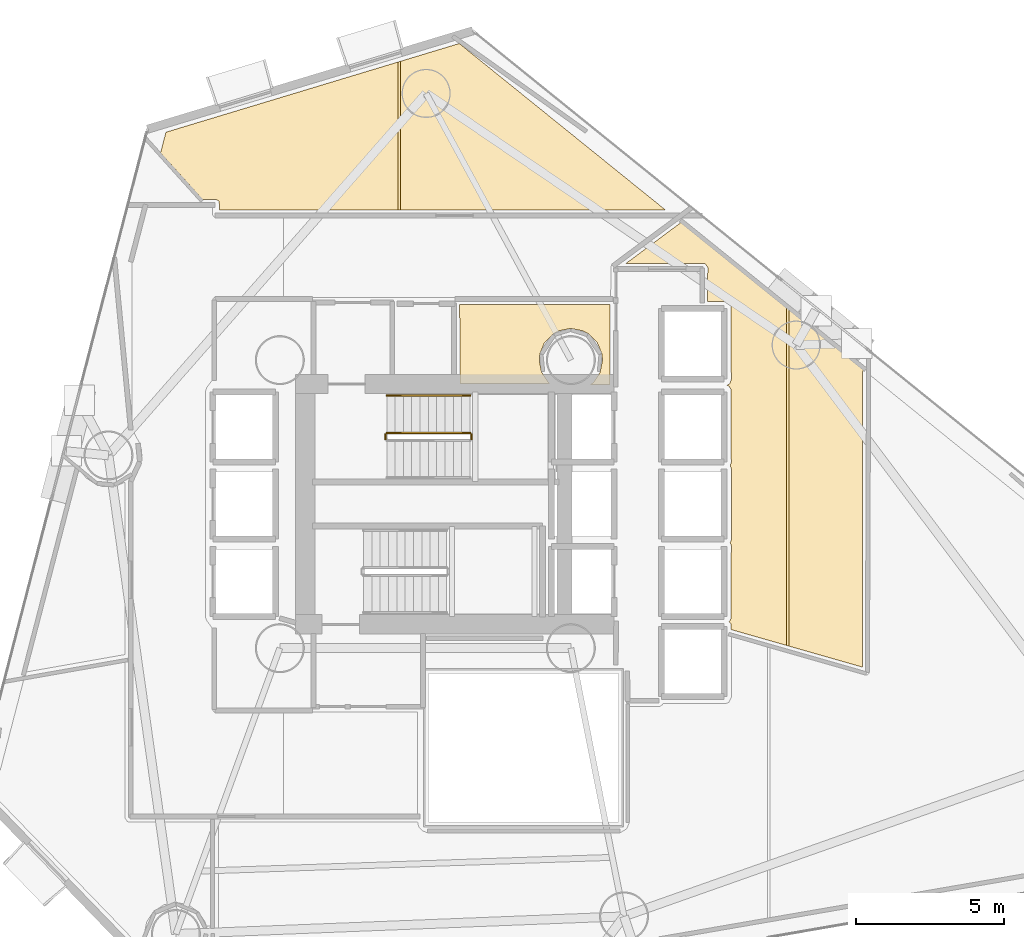
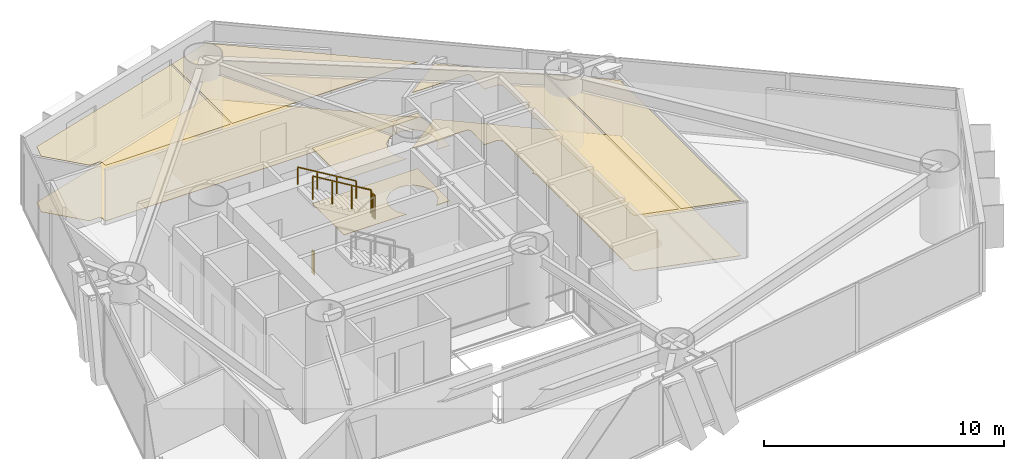
# One storey, part 22 of 23: 8 coverings, 4 railings.
"""IFC4 building model written with IfcOpenShell, lengths in metres."""

import ifcopenshell
import ifcopenshell.guid

model = None  # the IFC model being written
_history = None  # IfcOwnerHistory: only IFC2X3 demands one
_inside = {}  # id of a spatial element -> (the spatial element, [elements in it])
_under = {}  # id of a project, library or spatial element -> (it, [spatial elements below it])
_declared = {}  # id of a project -> (the project, [libraries it declares])
_typed = {}  # id of a type object -> (the type object, [elements of that type])
_made_of = {}  # id of a material, layer set ... -> (it, [elements and type objects made of it])


def new_model(schema):
    """Start an empty IFC model of exactly this schema.

    Asked for "IFC4X3", IfcOpenShell would pick the latest addendum, in which some entities
    have other attributes; the version numbers below select the first issue.
    IFC2X3 requires an IfcOwnerHistory on every rooted entity: one is made here for all.
    """
    global model, _history
    if schema == "IFC4X3":
        model = ifcopenshell.file(schema_version=(4, 3, 0, 0))
    else:
        model = ifcopenshell.file(schema=schema)
    _inside.clear()
    _under.clear()
    _declared.clear()
    _typed.clear()
    _made_of.clear()
    _history = None
    if model.schema == "IFC2X3":
        org = make("IfcOrganization", Name="unknown")
        user = make(
            "IfcPersonAndOrganization",
            ThePerson=make("IfcPerson", FamilyName="unknown"),
            TheOrganization=org,
        )
        app = make(
            "IfcApplication",
            ApplicationDeveloper=org,
            Version="unknown",
            ApplicationFullName="unknown",
            ApplicationIdentifier="unknown",
        )
        _history = make(
            "IfcOwnerHistory",
            OwningUser=user,
            OwningApplication=app,
            ChangeAction="ADDED",
            CreationDate=0,
        )
    return model


def make(cls, **values):
    """One entity of the class cls with the attributes given. An attribute that is None is left unset."""
    return model.create_entity(
        cls, **{name: value for name, value in values.items() if value is not None}
    )


def rooted(cls, **values):
    """An entity with a GlobalId (a new one), such as an element, a storey or a relation."""
    return make(cls, GlobalId=ifcopenshell.guid.new(), OwnerHistory=_history, **values)


def si_unit(unit_type, name, prefix=None):
    """IfcSIUnit, for example si_unit("LENGTHUNIT", "METRE", prefix="MILLI")."""
    return make("IfcSIUnit", UnitType=unit_type, Prefix=prefix, Name=name)


def assignment(units):
    """IfcUnitAssignment: the units of a project."""
    return None if units is None else make("IfcUnitAssignment", Units=units)


def point(xyz):
    """IfcCartesianPoint."""
    return None if xyz is None else make("IfcCartesianPoint", Coordinates=xyz)


def direction(xyz):
    """IfcDirection."""
    return None if xyz is None else make("IfcDirection", DirectionRatios=xyz)


def frame(location, z_axis=None, x_axis=None):
    """IfcAxis2Placement3D, a coordinate frame: its origin and axes. An axis left out is left unset."""
    return make(
        "IfcAxis2Placement3D",
        Location=point(location),
        Axis=direction(z_axis),
        RefDirection=direction(x_axis),
    )


def frame_2d(location, x_axis=None):
    """IfcAxis2Placement2D, a coordinate frame in the plane: its origin and x axis."""
    return make(
        "IfcAxis2Placement2D", Location=point(location), RefDirection=direction(x_axis)
    )


def origin():
    """The frame at (0, 0, 0) with its axes left unset."""
    return frame((0.0, 0.0, 0.0))


def origin_2d():
    """The frame at (0, 0) in the plane with its x axis left unset."""
    return frame_2d((0.0, 0.0))


def place(relative_to, where):
    """IfcLocalPlacement: puts the frame where relative to a parent placement (None: the world)."""
    return make(
        "IfcLocalPlacement", PlacementRelTo=relative_to, RelativePlacement=where
    )


def context(
    kind, dimensions, precision=None, world=None, true_north=None, identifier=None
):
    """IfcGeometricRepresentationContext, for example the 3D "Model" context."""
    return make(
        "IfcGeometricRepresentationContext",
        ContextIdentifier=identifier,
        ContextType=kind,
        CoordinateSpaceDimension=dimensions,
        Precision=precision,
        WorldCoordinateSystem=world,
        TrueNorth=true_north,
    )


def subcontext(parent, identifier, kind, view, scale=None):
    """IfcGeometricRepresentationSubContext, for example "Body" below "Model"."""
    return make(
        "IfcGeometricRepresentationSubContext",
        ContextIdentifier=identifier,
        ContextType=kind,
        ParentContext=parent,
        TargetScale=scale,
        TargetView=view,
    )


def project(units=None, contexts=None):
    """IfcProject with its units and contexts."""
    return rooted(
        "IfcProject",
        Name="project",
        RepresentationContexts=contexts,
        UnitsInContext=assignment(units),
    )


def spatial(cls, under=None, at=None, **own):
    """A site, building, storey or space (cls), placed at a placement, below another one or the project."""
    s = rooted(cls, ObjectPlacement=at, **own)
    if under is not None:
        _under.setdefault(under.id(), (under, []))[1].append(s)
    return s


def polyline(points):
    """IfcPolyline through the points."""
    return make("IfcPolyline", Points=[point(p) for p in points])


def profile(cls, at=None, kind="AREA", **sizes):
    """A parametric profile (cls). Its sizes go by their IFC names, for example OverallWidth=200.0."""
    return make(cls, ProfileType=kind, Position=at, **sizes)


def rectangle(**sizes):
    """IfcRectangleProfileDef."""
    return profile("IfcRectangleProfileDef", **sizes)


def outline(outer, holes=None, kind="AREA"):
    """IfcArbitraryClosedProfileDef: a profile drawn as a closed curve; with holes, ...WithVoids."""
    if holes is None:
        return make("IfcArbitraryClosedProfileDef", ProfileType=kind, OuterCurve=outer)
    return make(
        "IfcArbitraryProfileDefWithVoids",
        ProfileType=kind,
        OuterCurve=outer,
        InnerCurves=holes,
    )


def extrude(swept, where, along, depth):
    """IfcExtrudedAreaSolid: the profile swept, set in the frame where, extruded along a direction by depth."""
    return make(
        "IfcExtrudedAreaSolid",
        SweptArea=swept,
        Position=where,
        ExtrudedDirection=direction(along),
        Depth=depth,
    )


def shape(context_of_items, identifier, shape_type, items):
    """IfcShapeRepresentation: the items that make up one representation, for example the "Body"."""
    return make(
        "IfcShapeRepresentation",
        ContextOfItems=context_of_items,
        RepresentationIdentifier=identifier,
        RepresentationType=shape_type,
        Items=items,
    )


def material(Name=None, Category=None):
    """IfcMaterial."""
    return make("IfcMaterial", Name=Name, Category=Category)


def layer(
    of_material, thickness, ventilated=None, Name=None, Category=None, Priority=None
):
    """IfcMaterialLayer: one layer of a wall or slab, of a material (None: an air gap)."""
    return make(
        "IfcMaterialLayer",
        Material=of_material,
        LayerThickness=thickness,
        IsVentilated=ventilated,
        Name=Name,
        Category=Category,
        Priority=Priority,
    )


def layer_set(layers, Name=None):
    """IfcMaterialLayerSet."""
    return make("IfcMaterialLayerSet", MaterialLayers=layers, LayerSetName=Name)


def made_of(thing, what):
    """Note that an element or type object is made of a material, layer set ...; save() writes the relation."""
    if what is not None:
        _made_of.setdefault(what.id(), (what, []))[1].append(thing)
    return thing


def type_object(cls, material=None, **own):
    """A type object (cls), such as IfcWallType, which elements share."""
    return made_of(rooted(cls, **own), material)


def element(
    cls,
    number,
    at=None,
    inside=None,
    cuts=None,
    type_object=None,
    material=None,
    context=None,
    identifier="Body",
    shape_type=None,
    held_by="IfcProductDefinitionShape",
    body=None,
    shapes=None,
    **own,
):
    """One element of the class cls, such as IfcWall. Its Tag is "e" and its number.

    at: its placement. inside: the storey or other place that contains it. cuts: it is an
    opening in that element (IfcRelVoidsElement). A single representation is given by context,
    identifier, shape_type and body (its items); several are given by shapes. held_by: the class
    of the entity that holds the representations. save() writes the other relations.
    """
    e = rooted(cls, Tag="e%d" % number, ObjectPlacement=at, **own)
    if body is not None:
        shapes = [shape(context, identifier, shape_type, body)]
    if shapes is not None:
        e.Representation = make(held_by, Representations=shapes)
    if inside is not None:
        _inside.setdefault(inside.id(), (inside, []))[1].append(e)
    if cuts is not None:
        rooted(
            "IfcRelVoidsElement", RelatingBuildingElement=cuts, RelatedOpeningElement=e
        )
    if type_object is not None:
        _typed.setdefault(type_object.id(), (type_object, []))[1].append(e)
    return made_of(e, material)


def aggregate(whole, parts):
    """IfcRelAggregates: a whole, such as a stair, and the parts it consists of."""
    return rooted("IfcRelAggregates", RelatingObject=whole, RelatedObjects=parts)


def save(model, path):
    """Write the relations noted so far, then the file.

    IfcRelAggregates (storeys below a building ...), IfcRelContainedInSpatialStructure (elements
    in a storey), IfcRelDefinesByType, IfcRelAssociatesMaterial and IfcRelDeclares: one each for
    every whole, place, type object, material and project.
    """
    for whole, parts in _under.values():
        aggregate(whole, parts)
    for where, things in _inside.values():
        rooted(
            "IfcRelContainedInSpatialStructure",
            RelatedElements=things,
            RelatingStructure=where,
        )
    for kind, things in _typed.values():
        rooted("IfcRelDefinesByType", RelatedObjects=things, RelatingType=kind)
    for what, things in _made_of.values():
        rooted("IfcRelAssociatesMaterial", RelatedObjects=things, RelatingMaterial=what)
    for by, libraries in _declared.values():
        rooted("IfcRelDeclares", RelatingContext=by, RelatedDefinitions=libraries)
    model.write(path)


model = new_model("IFC4")

# Units and contexts
model_context = context("Model", 3, precision=1e-05, world=origin(), true_north=direction((0.0, 1.0)))
body_context = subcontext(model_context, "Body", "Model", "MODEL_VIEW")
ifc_project = project(units=[si_unit("LENGTHUNIT", "METRE"), si_unit("AREAUNIT", "SQUARE_METRE"), si_unit("VOLUMEUNIT", "CUBIC_METRE"), si_unit("PLANEANGLEUNIT", "RADIAN"), si_unit("MASSUNIT", "GRAM", prefix="KILO")], contexts=[model_context])

# Site, building, storey
site_placement = place(None, origin())
site = spatial("IfcSite", under=ifc_project, at=site_placement, CompositionType="ELEMENT")
building_placement = place(site_placement, origin())
building = spatial("IfcBuilding", under=site, at=building_placement, Name="Qianvela Tower", CompositionType="ELEMENT")
storey_placement = place(building_placement, frame((0.0, 0.0, 82.10009765625)))
storey = spatial("IfcBuildingStorey", under=building, at=storey_placement, Name="L20", CompositionType="ELEMENT", Elevation=82.10009765625)

# Coverings
ifc_material_1 = material(Name="Perforated Mineral Acoustic Ceiling Tile")
ifc_layer_1 = layer(ifc_material_1, 0.02490234375)
ifc_layer_set_1 = layer_set([ifc_layer_1], Name="Perforated Mineral Acoustic Ceiling Tile")
covering_type_1 = type_object("IfcCoveringType", Name="COV-CEIL-ACOUSTIC-25", PredefinedType="CEILING", material=ifc_layer_set_1)
covering_1_placement = place(storey_placement, frame((0.0, 0.0, 2.81494140625)))
element("IfcCovering", 1, at=covering_1_placement, inside=storey, type_object=covering_type_1, Name="L20 Acoustic Ceiling Bay 1 Tutorial Breakout Seminar L20-03", PredefinedType="CEILING", context=body_context, shape_type="SweptSolid", body=[
    extrude(outline(polyline([(43.722412109375, 32.739013671875), (43.729248046875, 32.74267578125), (43.73583984375, 32.746826171875), (43.741943359375, 32.751953125), (43.74755859375, 32.757568359375), (43.75244140625, 32.763427734375), (43.7568359375, 32.77001953125), (43.760498046875, 32.777099609375), (43.763427734375, 32.7841796875), (43.79541015625, 32.873046875), (43.79736328125, 32.879638671875), (43.798828125, 32.886474609375), (43.7998046875, 32.893310546875), (43.800048828125, 32.900146484375), (43.79736328125, 35.327392578125), (43.796875, 35.3359375), (43.79541015625, 35.344482421875), (43.793212890625, 35.352783203125), (43.7900390625, 35.36083984375), (43.785888671875, 35.368408203125), (43.7373046875, 35.44921875), (43.732666015625, 35.456298828125), (43.727294921875, 35.462890625), (43.72119140625, 35.46875), (43.71435546875, 35.47412109375), (43.70703125, 35.478515625), (43.699462890625, 35.482177734375), (43.624267578125, 35.51318359375), (43.616943359375, 35.515869140625), (43.609375, 35.517822265625), (43.6015625, 35.518798828125), (43.59375, 35.519287109375), (43.0, 35.52001953125), (43.010009765625, 36.6494140625), (43.009765625, 36.6572265625), (43.008544921875, 36.6650390625), (43.006591796875, 36.6728515625), (43.00390625, 36.680419921875), (43.00048828125, 36.6875), (42.99658203125, 36.6943359375), (42.947021484375, 36.768310546875), (42.9423828125, 36.774658203125), (42.937255859375, 36.780517578125), (42.931396484375, 36.78564453125), (42.925048828125, 36.790283203125), (42.91845703125, 36.79443359375), (42.911376953125, 36.7978515625), (42.904052734375, 36.80029296875), (42.896484375, 36.80224609375), (42.888671875, 36.803466796875), (42.880859375, 36.803955078125), (40.26171875, 36.8095703125), (42.107421875, 38.18310546875), (45.65966796875, 35.315185546875), (45.65966796875, 23.943115234375), (43.79833984375, 24.47509765625), (43.79736328125, 24.6279296875), (43.796875, 24.63623046875), (43.79541015625, 24.644287109375), (43.793212890625, 24.652587890625), (43.790283203125, 24.66015625), (43.786376953125, 24.66748046875), (43.78173828125, 24.674560546875), (43.776611328125, 24.680908203125), (43.726318359375, 24.736328125), (43.727294921875, 24.737060546875), (43.732666015625, 24.74365234375), (43.7373046875, 24.750732421875), (43.785888671875, 24.83154296875), (43.7900390625, 24.839111328125), (43.793212890625, 24.84716796875), (43.79541015625, 24.85546875), (43.796875, 24.864013671875), (43.79736328125, 24.87255859375), (43.800048828125, 27.2998046875), (43.799560546875, 27.307861328125), (43.79833984375, 27.31591796875), (43.79638671875, 27.323486328125), (43.793701171875, 27.3310546875), (43.7646484375, 27.39990234375), (43.793701171875, 27.468994140625), (43.79638671875, 27.476318359375), (43.79833984375, 27.484130859375), (43.799560546875, 27.491943359375), (43.800048828125, 27.5), (43.800048828125, 29.89990234375), (43.799560546875, 29.907958984375), (43.79833984375, 29.915771484375), (43.79638671875, 29.923583984375), (43.793701171875, 29.93115234375), (43.7646484375, 30.0), (43.793701171875, 30.06884765625), (43.79638671875, 30.076416015625), (43.79833984375, 30.084228515625), (43.799560546875, 30.09228515625), (43.800048828125, 30.10009765625), (43.7939453125, 32.540771484375), (43.793701171875, 32.548583984375), (43.79248046875, 32.556396484375), (43.79052734375, 32.56396484375), (43.787841796875, 32.5712890625), (43.784423828125, 32.578369140625), (43.780517578125, 32.585205078125), (43.7353515625, 32.652587890625), (43.730712890625, 32.658935546875), (43.725341796875, 32.664794921875), (43.719482421875, 32.670166015625), (43.71337890625, 32.6748046875), (43.70654296875, 32.6787109375), (43.699462890625, 32.68212890625), (43.647705078125, 32.70361328125), (43.722412109375, 32.739013671875)])), origin(), (0.0, 0.0, 1.0), 0.02490234375),
])
covering_2_placement = place(storey_placement, frame((0.0, 0.0, 2.81494140625)))
element("IfcCovering", 2, at=covering_2_placement, inside=storey, type_object=covering_type_1, Name="L20 Acoustic Ceiling Bay 2 Tutorial Breakout Seminar L20-03", PredefinedType="CEILING", context=body_context, shape_type="SweptSolid", body=[
    extrude(outline(polyline([(48.25048828125, 33.223876953125), (48.215576171875, 33.125244140625), (48.212890625, 33.11669921875), (48.21142578125, 33.107666015625), (48.2109375, 33.0986328125), (48.2109375, 23.214111328125), (45.73974609375, 23.92041015625), (45.73974609375, 35.250732421875), (48.25048828125, 33.223876953125)])), origin(), (0.0, 0.0, 1.0), 0.02490234375),
])
covering_3_placement = place(storey_placement, frame((0.0, 0.0, 2.81494140625)))
element("IfcCovering", 3, at=covering_3_placement, inside=storey, type_object=covering_type_1, Name="L20 Acoustic Ceiling Project Huddle Conference L20-04", PredefinedType="CEILING", context=body_context, shape_type="SweptSolid", body=[
    extrude(outline(polyline([(39.719970703125, 35.419921875), (39.719970703125, 32.719970703125), (39.040771484375, 32.719970703125), (39.140869140625, 32.787109375), (39.147216796875, 32.791748046875), (39.153076171875, 32.796875), (39.158203125, 32.802734375), (39.1630859375, 32.80908203125), (39.37646484375, 33.128662109375), (39.380615234375, 33.13525390625), (39.3837890625, 33.142333984375), (39.38671875, 33.14990234375), (39.388427734375, 33.157470703125), (39.46337890625, 33.534423828125), (39.464599609375, 33.542236328125), (39.465087890625, 33.550048828125), (39.464599609375, 33.557861328125), (39.44580078125, 33.75), (39.444580078125, 33.7578125), (39.442626953125, 33.765380859375), (39.43994140625, 33.772705078125), (39.29296875, 34.1279296875), (39.28955078125, 34.135009765625), (39.285400390625, 34.1416015625), (39.28076171875, 34.14794921875), (39.275634765625, 34.15380859375), (39.00390625, 34.425537109375), (38.998046875, 34.430908203125), (38.99169921875, 34.435546875), (38.98486328125, 34.439697265625), (38.814697265625, 34.530517578125), (38.8076171875, 34.533935546875), (38.80029296875, 34.53662109375), (38.79248046875, 34.53857421875), (38.41552734375, 34.613525390625), (38.40771484375, 34.614501953125), (38.39990234375, 34.614990234375), (38.39208984375, 34.614501953125), (38.384521484375, 34.613525390625), (38.00732421875, 34.53857421875), (37.999755859375, 34.53662109375), (37.992431640625, 34.533935546875), (37.9853515625, 34.530517578125), (37.815185546875, 34.439697265625), (37.808349609375, 34.435546875), (37.802001953125, 34.430908203125), (37.796142578125, 34.425537109375), (37.5244140625, 34.15380859375), (37.519287109375, 34.14794921875), (37.514404296875, 34.1416015625), (37.510498046875, 34.135009765625), (37.507080078125, 34.1279296875), (37.360107421875, 33.772705078125), (37.357421875, 33.765380859375), (37.35546875, 33.7578125), (37.354248046875, 33.75), (37.33544921875, 33.557861328125), (37.3349609375, 33.550048828125), (37.33544921875, 33.542236328125), (37.33642578125, 33.534423828125), (37.41162109375, 33.157470703125), (37.413330078125, 33.14990234375), (37.416015625, 33.142333984375), (37.41943359375, 33.13525390625), (37.423583984375, 33.128662109375), (37.636962890625, 32.80908203125), (37.64111328125, 32.80322265625), (37.64599609375, 32.798095703125), (37.65087890625, 32.793212890625), (37.656494140625, 32.788818359375), (37.682373046875, 32.77001953125), (34.659912109375, 32.77001953125), (34.657470703125, 35.419921875), (39.719970703125, 35.419921875)])), origin(), (0.0, 0.0, 1.0), 0.02490234375),
])
covering_4_placement = place(storey_placement, frame((0.0, 0.0, 2.81494140625)))
element("IfcCovering", 4, at=covering_4_placement, inside=storey, type_object=covering_type_1, Name="L20 Acoustic Ceiling Bay 1 Debate Lecture Classroom L20-05", PredefinedType="CEILING", context=body_context, shape_type="SweptSolid", body=[
    extrude(outline(polyline([(26.574462890625, 38.610107421875), (26.556396484375, 38.8623046875), (26.555419921875, 38.870361328125), (26.5537109375, 38.878173828125), (26.551025390625, 38.8857421875), (26.547607421875, 38.89306640625), (26.543701171875, 38.89990234375), (26.5390625, 38.906494140625), (26.53369140625, 38.91259765625), (26.52783203125, 38.91796875), (26.521240234375, 38.9228515625), (26.514404296875, 38.927001953125), (26.507080078125, 38.930419921875), (26.45068359375, 38.953857421875), (26.443115234375, 38.95654296875), (26.435546875, 38.95849609375), (26.427734375, 38.959716796875), (26.419921875, 38.9599609375), (25.994873046875, 38.9599609375), (24.583984375, 40.527099609375), (24.764892578125, 41.22314453125), (32.58203125, 43.587158203125), (32.58203125, 38.610107421875), (26.574462890625, 38.610107421875)])), origin(), (0.0, 0.0, 1.0), 0.02490234375),
])
covering_5_placement = place(storey_placement, frame((0.0, 0.0, 2.81494140625)))
element("IfcCovering", 5, at=covering_5_placement, inside=storey, type_object=covering_type_1, Name="L20 Acoustic Ceiling Bay 2 Debate Lecture Classroom L20-05", PredefinedType="CEILING", context=body_context, shape_type="SweptSolid", body=[
    extrude(outline(polyline([(32.662109375, 38.610107421875), (32.662109375, 43.611328125), (34.6416015625, 44.2099609375), (41.578369140625, 38.610107421875), (32.662109375, 38.610107421875)])), origin(), (0.0, 0.0, 1.0), 0.02490234375),
])
ifc_material_2 = material(Name="Engineered Acoustic Oak Timber Flooring", Category="wood")
ifc_layer_2 = layer(ifc_material_2, 0.02001953125)
ifc_layer_set_2 = layer_set([ifc_layer_2], Name="Engineered Acoustic Oak Timber Flooring")
covering_type_2 = type_object("IfcCoveringType", Name="COV-FLOOR-OAK-20", PredefinedType="FLOORING", material=ifc_layer_set_2)
covering_6_placement = place(storey_placement, origin())
element("IfcCovering", 6, at=covering_6_placement, inside=storey, type_object=covering_type_2, Name="L20 Finish Flooring Tutorial Breakout Seminar L20-03", PredefinedType="FLOORING", context=body_context, shape_type="SweptSolid", body=[
    extrude(outline(polyline([(43.647705078125, 32.70361328125), (43.722412109375, 32.739013671875), (43.729248046875, 32.74267578125), (43.73583984375, 32.746826171875), (43.741943359375, 32.751953125), (43.74755859375, 32.757568359375), (43.75244140625, 32.763427734375), (43.7568359375, 32.77001953125), (43.760498046875, 32.777099609375), (43.763427734375, 32.7841796875), (43.79541015625, 32.873046875), (43.79736328125, 32.879638671875), (43.798828125, 32.886474609375), (43.7998046875, 32.893310546875), (43.800048828125, 32.900146484375), (43.79736328125, 35.327392578125), (43.796875, 35.3359375), (43.79541015625, 35.344482421875), (43.793212890625, 35.352783203125), (43.7900390625, 35.36083984375), (43.785888671875, 35.368408203125), (43.7373046875, 35.44921875), (43.732666015625, 35.456298828125), (43.727294921875, 35.462890625), (43.72119140625, 35.46875), (43.71435546875, 35.47412109375), (43.70703125, 35.478515625), (43.699462890625, 35.482177734375), (43.624267578125, 35.51318359375), (43.616943359375, 35.515869140625), (43.609375, 35.517822265625), (43.6015625, 35.518798828125), (43.59375, 35.519287109375), (43.0, 35.52001953125), (43.010009765625, 36.6494140625), (43.009765625, 36.6572265625), (43.008544921875, 36.6650390625), (43.006591796875, 36.6728515625), (43.00390625, 36.680419921875), (43.00048828125, 36.6875), (42.99658203125, 36.6943359375), (42.947021484375, 36.768310546875), (42.9423828125, 36.774658203125), (42.937255859375, 36.780517578125), (42.931396484375, 36.78564453125), (42.925048828125, 36.790283203125), (42.91845703125, 36.79443359375), (42.911376953125, 36.7978515625), (42.904052734375, 36.80029296875), (42.896484375, 36.80224609375), (42.888671875, 36.803466796875), (42.880859375, 36.803955078125), (40.26171875, 36.8095703125), (42.107421875, 38.18310546875), (48.25048828125, 33.223876953125), (48.215576171875, 33.125244140625), (48.212890625, 33.11669921875), (48.21142578125, 33.107666015625), (48.2109375, 33.0986328125), (48.2109375, 23.214111328125), (43.79833984375, 24.47509765625), (43.79736328125, 24.6279296875), (43.796875, 24.63623046875), (43.79541015625, 24.644287109375), (43.793212890625, 24.652587890625), (43.790283203125, 24.66015625), (43.786376953125, 24.66748046875), (43.78173828125, 24.674560546875), (43.776611328125, 24.680908203125), (43.726318359375, 24.736328125), (43.727294921875, 24.737060546875), (43.732666015625, 24.74365234375), (43.7373046875, 24.750732421875), (43.785888671875, 24.83154296875), (43.7900390625, 24.839111328125), (43.793212890625, 24.84716796875), (43.79541015625, 24.85546875), (43.796875, 24.864013671875), (43.79736328125, 24.87255859375), (43.800048828125, 27.2998046875), (43.799560546875, 27.307861328125), (43.79833984375, 27.31591796875), (43.79638671875, 27.323486328125), (43.793701171875, 27.3310546875), (43.7646484375, 27.39990234375), (43.793701171875, 27.468994140625), (43.79638671875, 27.476318359375), (43.79833984375, 27.484130859375), (43.799560546875, 27.491943359375), (43.800048828125, 27.5), (43.800048828125, 29.89990234375), (43.799560546875, 29.907958984375), (43.79833984375, 29.915771484375), (43.79638671875, 29.923583984375), (43.793701171875, 29.93115234375), (43.7646484375, 30.0), (43.793701171875, 30.06884765625), (43.79638671875, 30.076416015625), (43.79833984375, 30.084228515625), (43.799560546875, 30.09228515625), (43.800048828125, 30.10009765625), (43.7939453125, 32.540771484375), (43.793701171875, 32.548583984375), (43.79248046875, 32.556396484375), (43.79052734375, 32.56396484375), (43.787841796875, 32.5712890625), (43.784423828125, 32.578369140625), (43.780517578125, 32.585205078125), (43.7353515625, 32.652587890625), (43.730712890625, 32.658935546875), (43.725341796875, 32.664794921875), (43.719482421875, 32.670166015625), (43.71337890625, 32.6748046875), (43.70654296875, 32.6787109375), (43.699462890625, 32.68212890625), (43.647705078125, 32.70361328125)])), origin(), (0.0, 0.0, 1.0), 0.02001953125),
])
covering_7_placement = place(storey_placement, origin())
element("IfcCovering", 7, at=covering_7_placement, inside=storey, type_object=covering_type_2, Name="L20 Finish Flooring Project Huddle Conference L20-04", PredefinedType="FLOORING", context=body_context, shape_type="SweptSolid", body=[
    extrude(outline(polyline([(39.719970703125, 35.419921875), (39.719970703125, 32.719970703125), (39.040771484375, 32.719970703125), (39.140869140625, 32.787109375), (39.147216796875, 32.791748046875), (39.153076171875, 32.796875), (39.158203125, 32.802734375), (39.1630859375, 32.80908203125), (39.37646484375, 33.128662109375), (39.380615234375, 33.13525390625), (39.3837890625, 33.142333984375), (39.38671875, 33.14990234375), (39.388427734375, 33.157470703125), (39.46337890625, 33.534423828125), (39.464599609375, 33.542236328125), (39.465087890625, 33.550048828125), (39.464599609375, 33.557861328125), (39.44580078125, 33.75), (39.444580078125, 33.7578125), (39.442626953125, 33.765380859375), (39.43994140625, 33.772705078125), (39.29296875, 34.1279296875), (39.28955078125, 34.135009765625), (39.285400390625, 34.1416015625), (39.28076171875, 34.14794921875), (39.275634765625, 34.15380859375), (39.00390625, 34.425537109375), (38.998046875, 34.430908203125), (38.99169921875, 34.435546875), (38.98486328125, 34.439697265625), (38.814697265625, 34.530517578125), (38.8076171875, 34.533935546875), (38.80029296875, 34.53662109375), (38.79248046875, 34.53857421875), (38.41552734375, 34.613525390625), (38.40771484375, 34.614501953125), (38.39990234375, 34.614990234375), (38.39208984375, 34.614501953125), (38.384521484375, 34.613525390625), (38.00732421875, 34.53857421875), (37.999755859375, 34.53662109375), (37.992431640625, 34.533935546875), (37.9853515625, 34.530517578125), (37.815185546875, 34.439697265625), (37.808349609375, 34.435546875), (37.802001953125, 34.430908203125), (37.796142578125, 34.425537109375), (37.5244140625, 34.15380859375), (37.519287109375, 34.14794921875), (37.514404296875, 34.1416015625), (37.510498046875, 34.135009765625), (37.507080078125, 34.1279296875), (37.360107421875, 33.772705078125), (37.357421875, 33.765380859375), (37.35546875, 33.7578125), (37.354248046875, 33.75), (37.33544921875, 33.557861328125), (37.3349609375, 33.550048828125), (37.33544921875, 33.542236328125), (37.33642578125, 33.534423828125), (37.41162109375, 33.157470703125), (37.413330078125, 33.14990234375), (37.416015625, 33.142333984375), (37.41943359375, 33.13525390625), (37.423583984375, 33.128662109375), (37.636962890625, 32.80908203125), (37.64111328125, 32.80322265625), (37.64599609375, 32.798095703125), (37.65087890625, 32.793212890625), (37.656494140625, 32.788818359375), (37.682373046875, 32.77001953125), (34.659912109375, 32.77001953125), (34.657470703125, 35.419921875), (39.719970703125, 35.419921875)])), origin(), (0.0, 0.0, 1.0), 0.02001953125),
])
covering_8_placement = place(storey_placement, origin())
element("IfcCovering", 8, at=covering_8_placement, inside=storey, type_object=covering_type_2, Name="L20 Finish Flooring Debate Lecture Classroom L20-05", PredefinedType="FLOORING", context=body_context, shape_type="SweptSolid", body=[
    extrude(outline(polyline([(41.578369140625, 38.610107421875), (26.574462890625, 38.610107421875), (26.556396484375, 38.8623046875), (26.555419921875, 38.870361328125), (26.5537109375, 38.878173828125), (26.551025390625, 38.8857421875), (26.547607421875, 38.89306640625), (26.543701171875, 38.89990234375), (26.5390625, 38.906494140625), (26.53369140625, 38.91259765625), (26.52783203125, 38.91796875), (26.521240234375, 38.9228515625), (26.514404296875, 38.927001953125), (26.507080078125, 38.930419921875), (26.45068359375, 38.953857421875), (26.443115234375, 38.95654296875), (26.435546875, 38.95849609375), (26.427734375, 38.959716796875), (26.419921875, 38.9599609375), (25.994873046875, 38.9599609375), (24.583984375, 40.527099609375), (24.764892578125, 41.22314453125), (34.6416015625, 44.2099609375), (41.578369140625, 38.610107421875)])), origin(), (0.0, 0.0, 1.0), 0.02001953125),
])

# Railings
ifc_material_3 = material(Name="Painted Tubular Steel Q355B", Category="steel")
railing_type_1 = type_object("IfcRailingType", Name="RL-STAIR-GUARD-1200", PredefinedType="GUARDRAIL", material=ifc_material_3)
railing_1_placement = place(storey_placement, frame((35.050048828125, 30.889892578125, 1.849853515625)))
element("IfcRailing", 9, at=railing_1_placement, inside=storey, type_object=railing_type_1, Name="L20 ST-1 stair guard 2", PredefinedType="GUARDRAIL", context=body_context, shape_type="SweptSolid", body=[
    extrude(rectangle(XDim=0.050048828125, YDim=0.0400390625, at=origin_2d()), frame((0.0, 0.0, 1.179931640625), z_axis=(0.0, 1.0, 0.0), x_axis=(-1.0, 0.0, 0.0)), (0.0, 0.0, 1.0), 0.16015625),
    extrude(rectangle(XDim=0.050048828125, YDim=0.050048828125, at=origin_2d()), origin(), (0.0, 0.0, 1.0), 1.159912109375),
    extrude(rectangle(XDim=0.050048828125, YDim=0.050048828125, at=origin_2d()), frame((0.0, 0.16015625, 0.0)), (0.0, 0.0, 1.0), 1.159912109375),
])
railing_2_placement = place(storey_placement, frame((35.0, 31.10009765625, 2.01806640625)))
element("IfcRailing", 10, at=railing_2_placement, inside=storey, type_object=railing_type_1, Name="L20 ST-1 stair guard 3", PredefinedType="GUARDRAIL", context=body_context, shape_type="SweptSolid", body=[
    extrude(rectangle(XDim=0.050048828125, YDim=0.0400390625, at=origin_2d()), frame((0.0, 0.0, 1.179931640625), z_axis=(-0.857242210791, 0.0, 0.514913383045), x_axis=(0.0, -1.0, 0.0)), (0.0, 0.0, 1.0), 3.266357421875),
    extrude(rectangle(XDim=0.050048828125, YDim=0.050048828125, at=origin_2d()), origin(), (0.0, 0.0, 1.0), 1.159912109375),
    extrude(rectangle(XDim=0.050048828125, YDim=0.050048828125, at=origin_2d()), frame((-0.933349609375, 0.0, 0.560546875)), (0.0, 0.0, 1.0), 1.159912109375),
    extrude(rectangle(XDim=0.050048828125, YDim=0.050048828125, at=origin_2d()), frame((-1.86669921875, 0.0, 1.121337890625)), (0.0, 0.0, 1.0), 1.159912109375),
    extrude(rectangle(XDim=0.050048828125, YDim=0.050048828125, at=origin_2d()), frame((-2.800048828125, 0.0, 1.681884765625)), (0.0, 0.0, 1.0), 1.159912109375),
])
railing_3_placement = place(storey_placement, frame((32.14990234375, 30.889892578125, 0.0)))
element("IfcRailing", 11, at=railing_3_placement, inside=storey, type_object=railing_type_1, Name="L20 ST-1 stair guard 4", PredefinedType="GUARDRAIL", context=body_context, shape_type="SweptSolid", body=[
    extrude(rectangle(XDim=0.050048828125, YDim=0.0400390625, at=origin_2d()), frame((0.0, 0.0, 1.179931640625), z_axis=(0.0, 1.0, 0.0), x_axis=(-1.0, 0.0, 0.0)), (0.0, 0.0, 1.0), 0.16015625),
    extrude(rectangle(XDim=0.050048828125, YDim=0.050048828125, at=origin_2d()), origin(), (0.0, 0.0, 1.0), 1.159912109375),
    extrude(rectangle(XDim=0.050048828125, YDim=0.050048828125, at=origin_2d()), frame((0.0, 0.16015625, 0.0)), (0.0, 0.0, 1.0), 1.159912109375),
])
ifc_material_4 = material(Name="Brushed Stainless Steel 304", Category="steel")
railing_type_2 = type_object("IfcRailingType", Name="RL-STAIR-HANDRAIL-900", PredefinedType="HANDRAIL", material=ifc_material_4)
railing_4_placement = place(storey_placement, frame((35.0, 32.35009765625, 2.01806640625)))
element("IfcRailing", 12, at=railing_4_placement, inside=storey, type_object=railing_type_2, Name="L20 ST-1 stair handrail 2", PredefinedType="HANDRAIL", context=body_context, shape_type="SweptSolid", body=[
    extrude(rectangle(XDim=0.050048828125, YDim=0.0400390625, at=origin_2d()), frame((0.0, 0.0, 0.8798828125), z_axis=(-0.857242210791, 0.0, 0.514913383045), x_axis=(0.0, -1.0, 0.0)), (0.0, 0.0, 1.0), 3.266357421875),
    extrude(rectangle(XDim=0.050048828125, YDim=0.050048828125, at=origin_2d()), origin(), (0.0, 0.0, 1.0), 0.85986328125),
    extrude(rectangle(XDim=0.050048828125, YDim=0.050048828125, at=origin_2d()), frame((-0.933349609375, 0.0, 0.560546875)), (0.0, 0.0, 1.0), 0.85986328125),
    extrude(rectangle(XDim=0.050048828125, YDim=0.050048828125, at=origin_2d()), frame((-1.86669921875, 0.0, 1.121337890625)), (0.0, 0.0, 1.0), 0.85986328125),
    extrude(rectangle(XDim=0.050048828125, YDim=0.050048828125, at=origin_2d()), frame((-2.800048828125, 0.0, 1.681884765625)), (0.0, 0.0, 1.0), 0.85986328125),
])

save(model, "model.ifc")
